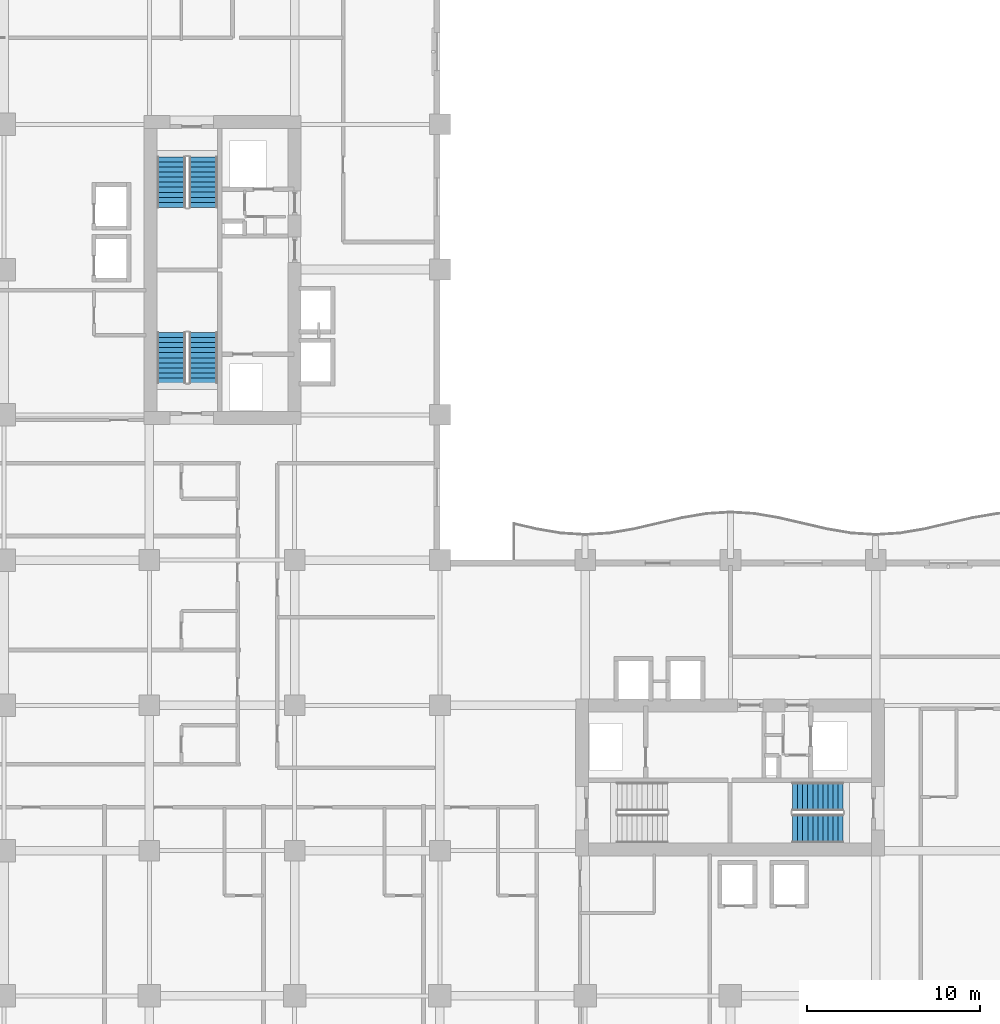
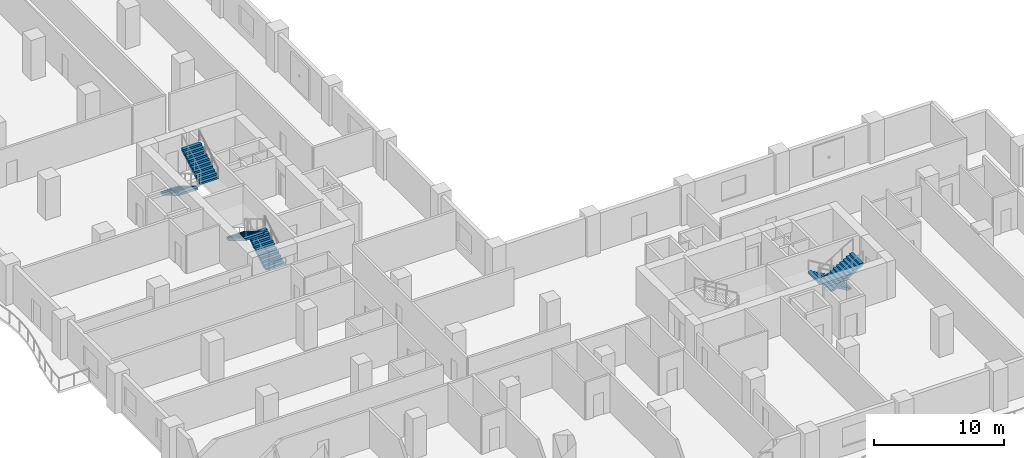
# One storey, part 15 of 21: 6 stair flights, 3 elements without a shape of their own.
"""IFC4 building model written with IfcOpenShell, lengths in metres."""

from ifc_helpers import new_model, si_unit, direction, frame, origin, place, context, subcontext, project, spatial, polyline, outline, extrude, material, type_object, element, aggregate, save


model = new_model("IFC4")

# Units and contexts
model_context = context("Model", 3, precision=1e-05, world=origin(), true_north=direction((0.0, 1.0)))
body_context = subcontext(model_context, "Body", "Model", "MODEL_VIEW")
ifc_project = project(units=[si_unit("LENGTHUNIT", "METRE"), si_unit("AREAUNIT", "SQUARE_METRE"), si_unit("VOLUMEUNIT", "CUBIC_METRE"), si_unit("PLANEANGLEUNIT", "RADIAN"), si_unit("MASSUNIT", "GRAM", prefix="KILO")], contexts=[model_context])

# Site, building, storey
site_placement = place(None, origin())
site = spatial("IfcSite", under=ifc_project, at=site_placement, CompositionType="ELEMENT")
building_placement = place(site_placement, origin())
building = spatial("IfcBuilding", under=site, at=building_placement, Name="Koriwani Terraces Tower", CompositionType="ELEMENT")
storey_placement = place(building_placement, frame((0.0, 0.0, 111.39990234375)))
storey = spatial("IfcBuildingStorey", under=building, at=storey_placement, Name="L26", CompositionType="ELEMENT", Elevation=111.39990234375)

# Stair, stair flights
ifc_material = material(Name="Concrete C40/50", Category="concrete")
stair_type = type_object("IfcStairType", Name="STAIR_CORE_DOGLEG_1650", PredefinedType="TWO_STRAIGHT_RUN_STAIR", material=ifc_material)
stair_1_placement = place(storey_placement, origin())
stair_1 = element("IfcStair", 1, at=stair_1_placement, inside=storey, type_object=stair_type, Name="L26 West Core Exit Stair 1", PredefinedType="HALF_TURN_STAIR")
stair_flight_type = type_object("IfcStairFlightType", Name="STAIR_FLIGHT_RC_1650", PredefinedType="STRAIGHT", material=ifc_material)
stair_flight_1_placement = place(storey_placement, frame((19.925048828125, 43.85009765625, 0.0), z_axis=(0.0, 0.0, 1.0), x_axis=(0.0, 1.0, 0.0)))
stair_flight_1 = element("IfcStairFlight", 2, at=stair_flight_1_placement, type_object=stair_flight_type, Name="ST-W1 flight 1", NumberOfRisers=11, NumberOfTreads=10, PredefinedType="STRAIGHT", RiserHeight=0.172727273, TreadLength=0.29, context=body_context, shape_type="SweptSolid", body=[
    extrude(outline(polyline([(0.0, 0.0), (0.0, 0.172607421875), (0.2900390625, 0.172607421875), (0.2900390625, 0.345458984375), (0.580078125, 0.345458984375), (0.580078125, 0.51806640625), (0.8701171875, 0.51806640625), (0.8701171875, 0.69091796875), (1.159912109375, 0.69091796875), (1.159912109375, 0.863525390625), (1.449951171875, 0.863525390625), (1.449951171875, 1.036376953125), (1.739990234375, 1.036376953125), (1.739990234375, 1.208984375), (2.030029296875, 1.208984375), (2.030029296875, 1.3818359375), (2.320068359375, 1.3818359375), (2.320068359375, 1.554443359375), (2.610107421875, 1.554443359375), (2.610107421875, 1.727294921875), (2.89990234375, 1.727294921875), (2.89990234375, 1.89990234375), (2.89990234375, 1.517822265625), (0.3515625, 0.0), (0.0, 0.0)])), frame((0.0, 0.824951171875, 0.0), z_axis=(0.0, -1.0, 0.0), x_axis=(1.0, 0.0, 0.0)), (0.0, 0.0, 1.0), 1.64990234375),
])
stair_flight_2_placement = place(storey_placement, frame((18.074951171875, 46.75, 1.900146484375), z_axis=(0.0, 0.0, 1.0), x_axis=(0.0, -1.0, 0.0)))
stair_flight_2 = element("IfcStairFlight", 3, at=stair_flight_2_placement, type_object=stair_flight_type, Name="ST-W1 flight 2", NumberOfRisers=11, NumberOfTreads=10, PredefinedType="STRAIGHT", RiserHeight=0.172727273, TreadLength=0.29, context=body_context, shape_type="SweptSolid", body=[
    extrude(outline(polyline([(0.0, 0.0), (0.0, 0.172607421875), (0.2900390625, 0.172607421875), (0.2900390625, 0.345458984375), (0.580078125, 0.345458984375), (0.580078125, 0.51806640625), (0.8701171875, 0.51806640625), (0.8701171875, 0.69091796875), (1.159912109375, 0.69091796875), (1.159912109375, 0.863525390625), (1.449951171875, 0.863525390625), (1.449951171875, 1.036376953125), (1.739990234375, 1.036376953125), (1.739990234375, 1.208984375), (2.030029296875, 1.208984375), (2.030029296875, 1.3818359375), (2.320068359375, 1.3818359375), (2.320068359375, 1.554443359375), (2.610107421875, 1.554443359375), (2.610107421875, 1.727294921875), (2.89990234375, 1.727294921875), (2.89990234375, 1.89990234375), (2.89990234375, 1.517822265625), (0.3515625, 0.0), (0.0, 0.0)])), frame((0.0, 0.824951171875, 0.0), z_axis=(0.0, -1.0, 0.0), x_axis=(1.0, 0.0, 0.0)), (0.0, 0.0, 1.0), 1.64990234375),
])
aggregate(stair_1, [stair_flight_1, stair_flight_2])

stair_2_placement = place(storey_placement, origin())
stair_2 = element("IfcStair", 4, at=stair_2_placement, inside=storey, type_object=stair_type, Name="L26 West Core Exit Stair 2", PredefinedType="HALF_TURN_STAIR")
stair_flight_3_placement = place(storey_placement, frame((18.074951171875, 56.89990234375, 0.0), z_axis=(0.0, 0.0, 1.0), x_axis=(0.0, -1.0, 0.0)))
stair_flight_3 = element("IfcStairFlight", 5, at=stair_flight_3_placement, type_object=stair_flight_type, Name="ST-W2 flight 1", NumberOfRisers=11, NumberOfTreads=10, PredefinedType="STRAIGHT", RiserHeight=0.172727273, TreadLength=0.29, context=body_context, shape_type="SweptSolid", body=[
    extrude(outline(polyline([(0.0, 0.0), (0.0, 0.172607421875), (0.2900390625, 0.172607421875), (0.2900390625, 0.345458984375), (0.580078125, 0.345458984375), (0.580078125, 0.51806640625), (0.8701171875, 0.51806640625), (0.8701171875, 0.69091796875), (1.159912109375, 0.69091796875), (1.159912109375, 0.863525390625), (1.449951171875, 0.863525390625), (1.449951171875, 1.036376953125), (1.739990234375, 1.036376953125), (1.739990234375, 1.208984375), (2.030029296875, 1.208984375), (2.030029296875, 1.3818359375), (2.320068359375, 1.3818359375), (2.320068359375, 1.554443359375), (2.610107421875, 1.554443359375), (2.610107421875, 1.727294921875), (2.89990234375, 1.727294921875), (2.89990234375, 1.89990234375), (2.89990234375, 1.517822265625), (0.3515625, 0.0), (0.0, 0.0)])), frame((0.0, 0.824951171875, 0.0), z_axis=(0.0, -1.0, 0.0), x_axis=(1.0, 0.0, 0.0)), (0.0, 0.0, 1.0), 1.64990234375),
])
stair_flight_4_placement = place(storey_placement, frame((19.925048828125, 54.0, 1.900146484375), z_axis=(0.0, 0.0, 1.0), x_axis=(0.0, 1.0, 0.0)))
stair_flight_4 = element("IfcStairFlight", 6, at=stair_flight_4_placement, type_object=stair_flight_type, Name="ST-W2 flight 2", NumberOfRisers=11, NumberOfTreads=10, PredefinedType="STRAIGHT", RiserHeight=0.172727273, TreadLength=0.29, context=body_context, shape_type="SweptSolid", body=[
    extrude(outline(polyline([(0.0, 0.0), (0.0, 0.172607421875), (0.2900390625, 0.172607421875), (0.2900390625, 0.345458984375), (0.580078125, 0.345458984375), (0.580078125, 0.51806640625), (0.8701171875, 0.51806640625), (0.8701171875, 0.69091796875), (1.159912109375, 0.69091796875), (1.159912109375, 0.863525390625), (1.449951171875, 0.863525390625), (1.449951171875, 1.036376953125), (1.739990234375, 1.036376953125), (1.739990234375, 1.208984375), (2.030029296875, 1.208984375), (2.030029296875, 1.3818359375), (2.320068359375, 1.3818359375), (2.320068359375, 1.554443359375), (2.610107421875, 1.554443359375), (2.610107421875, 1.727294921875), (2.89990234375, 1.727294921875), (2.89990234375, 1.89990234375), (2.89990234375, 1.517822265625), (0.3515625, 0.0), (0.0, 0.0)])), frame((0.0, 0.824951171875, 0.0), z_axis=(0.0, -1.0, 0.0), x_axis=(1.0, 0.0, 0.0)), (0.0, 0.0, 1.0), 1.64990234375),
])
aggregate(stair_2, [stair_flight_3, stair_flight_4])

stair_3_placement = place(storey_placement, origin())
stair_3 = element("IfcStair", 7, at=stair_3_placement, inside=storey, type_object=stair_type, Name="L26 East Core Exit Stair 2", PredefinedType="HALF_TURN_STAIR")
stair_flight_5_placement = place(storey_placement, frame((56.89990234375, 19.925048828125, 0.0), z_axis=(0.0, 0.0, 1.0), x_axis=(-1.0, 0.0, 0.0)))
stair_flight_5 = element("IfcStairFlight", 8, at=stair_flight_5_placement, type_object=stair_flight_type, Name="ST-E2 flight 1", NumberOfRisers=11, NumberOfTreads=10, PredefinedType="STRAIGHT", RiserHeight=0.172727273, TreadLength=0.29, context=body_context, shape_type="SweptSolid", body=[
    extrude(outline(polyline([(0.0, 0.0), (0.0, 0.172607421875), (0.2900390625, 0.172607421875), (0.2900390625, 0.345458984375), (0.580078125, 0.345458984375), (0.580078125, 0.51806640625), (0.8701171875, 0.51806640625), (0.8701171875, 0.69091796875), (1.159912109375, 0.69091796875), (1.159912109375, 0.863525390625), (1.449951171875, 0.863525390625), (1.449951171875, 1.036376953125), (1.739990234375, 1.036376953125), (1.739990234375, 1.208984375), (2.030029296875, 1.208984375), (2.030029296875, 1.3818359375), (2.320068359375, 1.3818359375), (2.320068359375, 1.554443359375), (2.610107421875, 1.554443359375), (2.610107421875, 1.727294921875), (2.89990234375, 1.727294921875), (2.89990234375, 1.89990234375), (2.89990234375, 1.517822265625), (0.3515625, 0.0), (0.0, 0.0)])), frame((0.0, 0.824951171875, 0.0), z_axis=(0.0, -1.0, 0.0), x_axis=(1.0, 0.0, 0.0)), (0.0, 0.0, 1.0), 1.64990234375),
])
stair_flight_6_placement = place(storey_placement, frame((54.0, 18.074951171875, 1.900146484375), z_axis=(0.0, 0.0, 1.0), x_axis=(1.0, 0.0, 0.0)))
stair_flight_6 = element("IfcStairFlight", 9, at=stair_flight_6_placement, type_object=stair_flight_type, Name="ST-E2 flight 2", NumberOfRisers=11, NumberOfTreads=10, PredefinedType="STRAIGHT", RiserHeight=0.172727273, TreadLength=0.29, context=body_context, shape_type="SweptSolid", body=[
    extrude(outline(polyline([(0.0, 0.0), (0.0, 0.172607421875), (0.2900390625, 0.172607421875), (0.2900390625, 0.345458984375), (0.580078125, 0.345458984375), (0.580078125, 0.51806640625), (0.8701171875, 0.51806640625), (0.8701171875, 0.69091796875), (1.159912109375, 0.69091796875), (1.159912109375, 0.863525390625), (1.449951171875, 0.863525390625), (1.449951171875, 1.036376953125), (1.739990234375, 1.036376953125), (1.739990234375, 1.208984375), (2.030029296875, 1.208984375), (2.030029296875, 1.3818359375), (2.320068359375, 1.3818359375), (2.320068359375, 1.554443359375), (2.610107421875, 1.554443359375), (2.610107421875, 1.727294921875), (2.89990234375, 1.727294921875), (2.89990234375, 1.89990234375), (2.89990234375, 1.517822265625), (0.3515625, 0.0), (0.0, 0.0)])), frame((0.0, 0.824951171875, 0.0), z_axis=(0.0, -1.0, 0.0), x_axis=(1.0, 0.0, 0.0)), (0.0, 0.0, 1.0), 1.64990234375),
])
aggregate(stair_3, [stair_flight_5, stair_flight_6])

save(model, "model.ifc")
